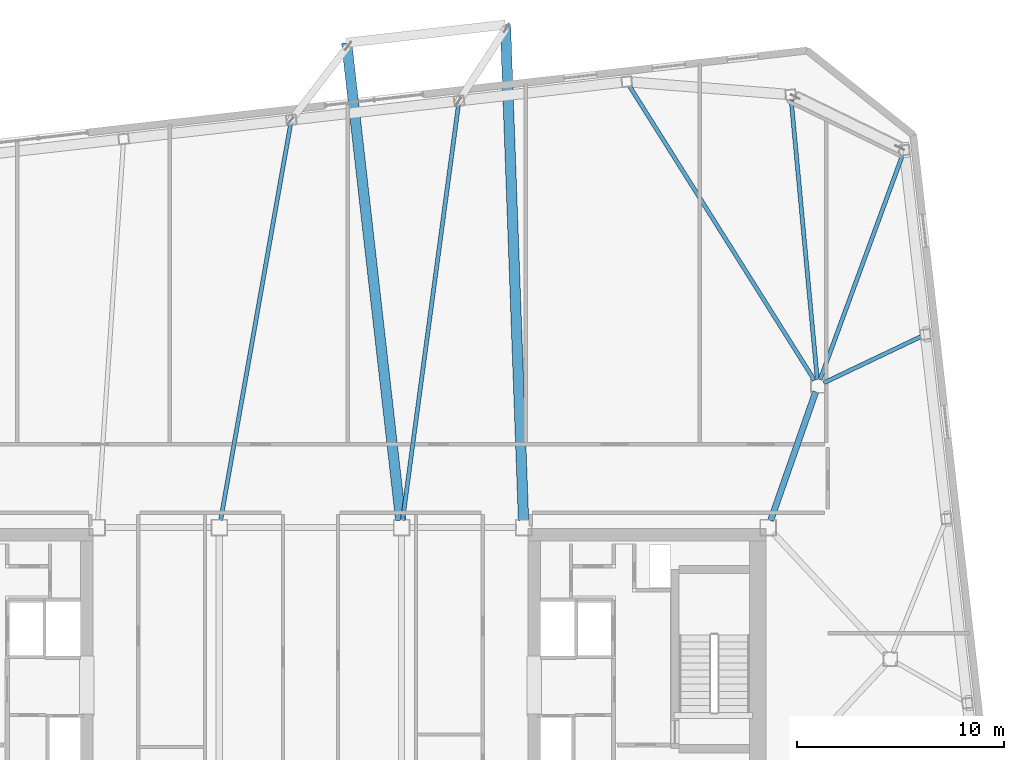
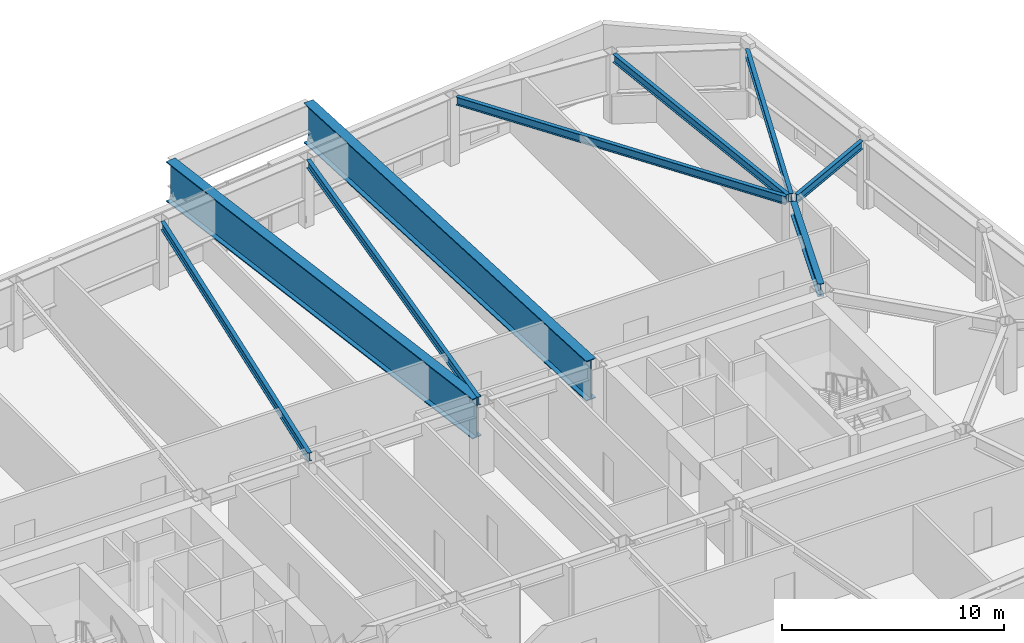
# One storey, part 9 of 20: 9 beams.
"""IFC4 building model written with IfcOpenShell, lengths in metres."""

import ifcopenshell
import ifcopenshell.guid

model = None  # the IFC model being written
_history = None  # IfcOwnerHistory: only IFC2X3 demands one
_inside = {}  # id of a spatial element -> (the spatial element, [elements in it])
_under = {}  # id of a project, library or spatial element -> (it, [spatial elements below it])
_declared = {}  # id of a project -> (the project, [libraries it declares])
_typed = {}  # id of a type object -> (the type object, [elements of that type])
_made_of = {}  # id of a material, layer set ... -> (it, [elements and type objects made of it])


def new_model(schema):
    """Start an empty IFC model of exactly this schema.

    Asked for "IFC4X3", IfcOpenShell would pick the latest addendum, in which some entities
    have other attributes; the version numbers below select the first issue.
    IFC2X3 requires an IfcOwnerHistory on every rooted entity: one is made here for all.
    """
    global model, _history
    if schema == "IFC4X3":
        model = ifcopenshell.file(schema_version=(4, 3, 0, 0))
    else:
        model = ifcopenshell.file(schema=schema)
    _inside.clear()
    _under.clear()
    _declared.clear()
    _typed.clear()
    _made_of.clear()
    _history = None
    if model.schema == "IFC2X3":
        org = make("IfcOrganization", Name="unknown")
        user = make(
            "IfcPersonAndOrganization",
            ThePerson=make("IfcPerson", FamilyName="unknown"),
            TheOrganization=org,
        )
        app = make(
            "IfcApplication",
            ApplicationDeveloper=org,
            Version="unknown",
            ApplicationFullName="unknown",
            ApplicationIdentifier="unknown",
        )
        _history = make(
            "IfcOwnerHistory",
            OwningUser=user,
            OwningApplication=app,
            ChangeAction="ADDED",
            CreationDate=0,
        )
    return model


def make(cls, **values):
    """One entity of the class cls with the attributes given. An attribute that is None is left unset."""
    return model.create_entity(
        cls, **{name: value for name, value in values.items() if value is not None}
    )


def rooted(cls, **values):
    """An entity with a GlobalId (a new one), such as an element, a storey or a relation."""
    return make(cls, GlobalId=ifcopenshell.guid.new(), OwnerHistory=_history, **values)


def si_unit(unit_type, name, prefix=None):
    """IfcSIUnit, for example si_unit("LENGTHUNIT", "METRE", prefix="MILLI")."""
    return make("IfcSIUnit", UnitType=unit_type, Prefix=prefix, Name=name)


def assignment(units):
    """IfcUnitAssignment: the units of a project."""
    return None if units is None else make("IfcUnitAssignment", Units=units)


def point(xyz):
    """IfcCartesianPoint."""
    return None if xyz is None else make("IfcCartesianPoint", Coordinates=xyz)


def direction(xyz):
    """IfcDirection."""
    return None if xyz is None else make("IfcDirection", DirectionRatios=xyz)


def frame(location, z_axis=None, x_axis=None):
    """IfcAxis2Placement3D, a coordinate frame: its origin and axes. An axis left out is left unset."""
    return make(
        "IfcAxis2Placement3D",
        Location=point(location),
        Axis=direction(z_axis),
        RefDirection=direction(x_axis),
    )


def frame_2d(location, x_axis=None):
    """IfcAxis2Placement2D, a coordinate frame in the plane: its origin and x axis."""
    return make(
        "IfcAxis2Placement2D", Location=point(location), RefDirection=direction(x_axis)
    )


def origin():
    """The frame at (0, 0, 0) with its axes left unset."""
    return frame((0.0, 0.0, 0.0))


def origin_2d():
    """The frame at (0, 0) in the plane with its x axis left unset."""
    return frame_2d((0.0, 0.0))


def place(relative_to, where):
    """IfcLocalPlacement: puts the frame where relative to a parent placement (None: the world)."""
    return make(
        "IfcLocalPlacement", PlacementRelTo=relative_to, RelativePlacement=where
    )


def context(
    kind, dimensions, precision=None, world=None, true_north=None, identifier=None
):
    """IfcGeometricRepresentationContext, for example the 3D "Model" context."""
    return make(
        "IfcGeometricRepresentationContext",
        ContextIdentifier=identifier,
        ContextType=kind,
        CoordinateSpaceDimension=dimensions,
        Precision=precision,
        WorldCoordinateSystem=world,
        TrueNorth=true_north,
    )


def subcontext(parent, identifier, kind, view, scale=None):
    """IfcGeometricRepresentationSubContext, for example "Body" below "Model"."""
    return make(
        "IfcGeometricRepresentationSubContext",
        ContextIdentifier=identifier,
        ContextType=kind,
        ParentContext=parent,
        TargetScale=scale,
        TargetView=view,
    )


def project(units=None, contexts=None):
    """IfcProject with its units and contexts."""
    return rooted(
        "IfcProject",
        Name="project",
        RepresentationContexts=contexts,
        UnitsInContext=assignment(units),
    )


def spatial(cls, under=None, at=None, **own):
    """A site, building, storey or space (cls), placed at a placement, below another one or the project."""
    s = rooted(cls, ObjectPlacement=at, **own)
    if under is not None:
        _under.setdefault(under.id(), (under, []))[1].append(s)
    return s


def profile(cls, at=None, kind="AREA", **sizes):
    """A parametric profile (cls). Its sizes go by their IFC names, for example OverallWidth=200.0."""
    return make(cls, ProfileType=kind, Position=at, **sizes)


def i_section(**sizes):
    """IfcIShapeProfileDef."""
    return profile("IfcIShapeProfileDef", **sizes)


def extrude(swept, where, along, depth):
    """IfcExtrudedAreaSolid: the profile swept, set in the frame where, extruded along a direction by depth."""
    return make(
        "IfcExtrudedAreaSolid",
        SweptArea=swept,
        Position=where,
        ExtrudedDirection=direction(along),
        Depth=depth,
    )


def shape(context_of_items, identifier, shape_type, items):
    """IfcShapeRepresentation: the items that make up one representation, for example the "Body"."""
    return make(
        "IfcShapeRepresentation",
        ContextOfItems=context_of_items,
        RepresentationIdentifier=identifier,
        RepresentationType=shape_type,
        Items=items,
    )


def material(Name=None, Category=None):
    """IfcMaterial."""
    return make("IfcMaterial", Name=Name, Category=Category)


def material_profile(
    of_material, cross_section, Name=None, Category=None, Priority=None
):
    """IfcMaterialProfile: a cross section and its material."""
    return make(
        "IfcMaterialProfile",
        Name=Name,
        Material=of_material,
        Profile=cross_section,
        Priority=Priority,
        Category=Category,
    )


def profile_set(profiles, Name=None, composite=None):
    """IfcMaterialProfileSet."""
    return make(
        "IfcMaterialProfileSet",
        Name=Name,
        MaterialProfiles=profiles,
        CompositeProfile=composite,
    )


def made_of(thing, what):
    """Note that an element or type object is made of a material, layer set ...; save() writes the relation."""
    if what is not None:
        _made_of.setdefault(what.id(), (what, []))[1].append(thing)
    return thing


def type_object(cls, material=None, **own):
    """A type object (cls), such as IfcWallType, which elements share."""
    return made_of(rooted(cls, **own), material)


def element(
    cls,
    number,
    at=None,
    inside=None,
    cuts=None,
    type_object=None,
    material=None,
    context=None,
    identifier="Body",
    shape_type=None,
    held_by="IfcProductDefinitionShape",
    body=None,
    shapes=None,
    **own,
):
    """One element of the class cls, such as IfcWall. Its Tag is "e" and its number.

    at: its placement. inside: the storey or other place that contains it. cuts: it is an
    opening in that element (IfcRelVoidsElement). A single representation is given by context,
    identifier, shape_type and body (its items); several are given by shapes. held_by: the class
    of the entity that holds the representations. save() writes the other relations.
    """
    e = rooted(cls, Tag="e%d" % number, ObjectPlacement=at, **own)
    if body is not None:
        shapes = [shape(context, identifier, shape_type, body)]
    if shapes is not None:
        e.Representation = make(held_by, Representations=shapes)
    if inside is not None:
        _inside.setdefault(inside.id(), (inside, []))[1].append(e)
    if cuts is not None:
        rooted(
            "IfcRelVoidsElement", RelatingBuildingElement=cuts, RelatedOpeningElement=e
        )
    if type_object is not None:
        _typed.setdefault(type_object.id(), (type_object, []))[1].append(e)
    return made_of(e, material)


def aggregate(whole, parts):
    """IfcRelAggregates: a whole, such as a stair, and the parts it consists of."""
    return rooted("IfcRelAggregates", RelatingObject=whole, RelatedObjects=parts)


def save(model, path):
    """Write the relations noted so far, then the file.

    IfcRelAggregates (storeys below a building ...), IfcRelContainedInSpatialStructure (elements
    in a storey), IfcRelDefinesByType, IfcRelAssociatesMaterial and IfcRelDeclares: one each for
    every whole, place, type object, material and project.
    """
    for whole, parts in _under.values():
        aggregate(whole, parts)
    for where, things in _inside.values():
        rooted(
            "IfcRelContainedInSpatialStructure",
            RelatedElements=things,
            RelatingStructure=where,
        )
    for kind, things in _typed.values():
        rooted("IfcRelDefinesByType", RelatedObjects=things, RelatingType=kind)
    for what, things in _made_of.values():
        rooted("IfcRelAssociatesMaterial", RelatedObjects=things, RelatingMaterial=what)
    for by, libraries in _declared.values():
        rooted("IfcRelDeclares", RelatingContext=by, RelatedDefinitions=libraries)
    model.write(path)


model = new_model("IFC4")

# Units and contexts
model_context = context("Model", 3, precision=1e-05, world=origin(), true_north=direction((0.0, 1.0)))
body_context = subcontext(model_context, "Body", "Model", "MODEL_VIEW")
ifc_project = project(units=[si_unit("LENGTHUNIT", "METRE"), si_unit("AREAUNIT", "SQUARE_METRE"), si_unit("VOLUMEUNIT", "CUBIC_METRE"), si_unit("PLANEANGLEUNIT", "RADIAN"), si_unit("MASSUNIT", "GRAM", prefix="KILO")], contexts=[model_context])

# Site, building, storey
site_placement = place(None, origin())
site = spatial("IfcSite", under=ifc_project, at=site_placement, CompositionType="ELEMENT")
building_placement = place(site_placement, origin())
building = spatial("IfcBuilding", under=site, at=building_placement, Name="Tavrogorsk Clinical Tower", CompositionType="ELEMENT")
storey_placement = place(building_placement, frame((0.0, 0.0, 234.199951171875)))
storey = spatial("IfcBuildingStorey", under=building, at=storey_placement, Name="L54", CompositionType="ELEMENT", Elevation=234.199951171875)

# Beams
ifc_material_1 = material(Name="Structural steel S355", Category="steel")
ifc_material_profile_1 = material_profile(ifc_material_1, i_section(OverallWidth=0.199951171875, OverallDepth=0.449951171875, WebThickness=0.011474609375, FlangeThickness=0.01806640625, at=origin_2d()), Name="B-450x200x11.5x18")
ifc_profile_set_1 = profile_set([ifc_material_profile_1], Name="Structural steel S355")
beam_type_1 = type_object("IfcBeamType", Name="FloorBeam_B450", PredefinedType="BEAM", material=ifc_profile_set_1)
beam_1_placement = place(storey_placement, frame((24.47119140625, 13.508544921875, 3.51513671875), z_axis=(-0.092940409745, 0.99567167291, 0.0), x_axis=(-0.99567167291, -0.092940409745, 0.0)))
element("IfcBeam", 1, at=beam_1_placement, inside=storey, type_object=beam_type_1, Name="L54 Radial Floor Beam N1", PredefinedType="BEAM", context=body_context, shape_type="SweptSolid", body=[
    extrude(i_section(OverallWidth=0.199951171875, OverallDepth=0.449951171875, WebThickness=0.011474609375, FlangeThickness=0.01806640625, at=origin_2d()), origin(), (0.0, 0.0, 1.0), 13.546630859375),
])
beam_2_placement = place(storey_placement, frame((24.3349609375, 13.46240234375, 3.51513671875), z_axis=(-0.53234144439, 0.84652973166, 0.0), x_axis=(-0.84652973166, -0.53234144439, 0.0)))
element("IfcBeam", 2, at=beam_2_placement, inside=storey, type_object=beam_type_1, Name="L54 Radial Floor Beam N2", PredefinedType="BEAM", context=body_context, shape_type="SweptSolid", body=[
    extrude(i_section(OverallWidth=0.199951171875, OverallDepth=0.449951171875, WebThickness=0.011474609375, FlangeThickness=0.01806640625, at=origin_2d()), origin(), (0.0, 0.0, 1.0), 16.7734375),
])
beam_3_placement = place(storey_placement, frame((4.447998046875, 6.706787109375, 3.51513671875), z_axis=(0.133328812355, 0.991071858039, 0.0), x_axis=(-0.991071858039, 0.133328812355, 0.0)))
element("IfcBeam", 3, at=beam_3_placement, inside=storey, type_object=beam_type_1, Name="L54 Radial Floor Beam N3", PredefinedType="BEAM", context=body_context, shape_type="SweptSolid", body=[
    extrude(i_section(OverallWidth=0.199951171875, OverallDepth=0.449951171875, WebThickness=0.011474609375, FlangeThickness=0.01806640625, at=origin_2d()), origin(), (0.0, 0.0, 1.0), 20.17529296875),
])
beam_4_placement = place(storey_placement, frame((-4.33740234375, 6.70458984375, 3.51513671875), z_axis=(0.173894614236, 0.984764267802, 0.0), x_axis=(-0.984764267802, 0.173894614236, 0.0)))
element("IfcBeam", 4, at=beam_4_placement, inside=storey, type_object=beam_type_1, Name="L54 Radial Floor Beam N4", PredefinedType="BEAM", context=body_context, shape_type="SweptSolid", body=[
    extrude(i_section(OverallWidth=0.199951171875, OverallDepth=0.449951171875, WebThickness=0.011474609375, FlangeThickness=0.01806640625, at=origin_2d()), origin(), (0.0, 0.0, 1.0), 19.371826171875),
])
beam_5_placement = place(storey_placement, frame((24.77978515625, 13.333251953125, 3.51513671875), z_axis=(0.90270896244, 0.43025170439, 0.0), x_axis=(-0.43025170439, 0.90270896244, 0.0)))
element("IfcBeam", 5, at=beam_5_placement, inside=storey, type_object=beam_type_1, Name="L54 Radial Floor Beam E4", PredefinedType="BEAM", context=body_context, shape_type="SweptSolid", body=[
    extrude(i_section(OverallWidth=0.199951171875, OverallDepth=0.449951171875, WebThickness=0.011474609375, FlangeThickness=0.01806640625, at=origin_2d()), origin(), (0.0, 0.0, 1.0), 5.182861328125),
])
beam_6_placement = place(storey_placement, frame((24.60693359375, 13.490966796875, 3.51513671875), z_axis=(0.34467380093, 0.938722520744, 0.0), x_axis=(-0.938722520744, 0.34467380093, 0.0)))
element("IfcBeam", 6, at=beam_6_placement, inside=storey, type_object=beam_type_1, Name="L54 Radial Floor Beam E5", PredefinedType="BEAM", context=body_context, shape_type="SweptSolid", body=[
    extrude(i_section(OverallWidth=0.199951171875, OverallDepth=0.449951171875, WebThickness=0.011474609375, FlangeThickness=0.01806640625, at=origin_2d()), origin(), (0.0, 0.0, 1.0), 11.55126953125),
])
ifc_material_2 = material(Name="Structural steel S390", Category="steel")
ifc_material_profile_2 = material_profile(ifc_material_2, i_section(OverallWidth=0.300048828125, OverallDepth=0.699951171875, WebThickness=0.01708984375, FlangeThickness=0.028076171875, at=origin_2d()), Name="B-700x300x17x28")
ifc_profile_set_2 = profile_set([ifc_material_profile_2], Name="Structural steel S390")
beam_type_2 = type_object("IfcBeamType", Name="PrimaryGirder_B700", PredefinedType="USERDEFINED", material=ifc_profile_set_2)
beam_7_placement = place(storey_placement, frame((24.3974609375, 12.907470703125, 3.39013671875), z_axis=(-0.330654121425, -0.943752007672, 0.0), x_axis=(0.943752007672, -0.330654121425, 0.0)))
element("IfcBeam", 7, at=beam_7_placement, inside=storey, type_object=beam_type_2, Name="L54 Spine Link Girder OPG-4", ObjectType="GIRDER", PredefinedType="USERDEFINED", context=body_context, shape_type="SweptSolid", body=[
    extrude(i_section(OverallWidth=0.300048828125, OverallDepth=0.699951171875, WebThickness=0.01708984375, FlangeThickness=0.028076171875, at=origin_2d()), origin(), (0.0, 0.0, 1.0), 6.58837890625),
])
ifc_material_3 = material(Name="Structural steel S440", Category="steel")
ifc_material_profile_3 = material_profile(ifc_material_3, i_section(OverallWidth=0.5, OverallDepth=2.199951171875, WebThickness=0.035888671875, FlangeThickness=0.054931640625, at=origin_2d()), Name="DK-2200x500x36x55")
ifc_profile_set_3 = profile_set([ifc_material_profile_3], Name="Structural steel S440")
beam_type_3 = type_object("IfcBeamType", Name="TransferGirder_DK2200", PredefinedType="USERDEFINED", material=ifc_profile_set_3)
beam_8_placement = place(storey_placement, frame((4.359375, 6.707763671875, 2.64013671875), z_axis=(-0.112582913225, 0.993642333866, 0.0), x_axis=(-0.993642333866, -0.112582913225, 0.0)))
element("IfcBeam", 8, at=beam_8_placement, inside=storey, type_object=beam_type_3, Name="L55 Day-Room Base Transfer Girder DRB-08-L", ObjectType="GIRDER", PredefinedType="USERDEFINED", context=body_context, shape_type="SweptSolid", body=[
    extrude(i_section(OverallWidth=0.5, OverallDepth=2.199951171875, WebThickness=0.035888671875, FlangeThickness=0.054931640625, at=origin_2d()), origin(), (0.0, 0.0, 1.0), 23.201171875),
])
beam_9_placement = place(storey_placement, frame((10.286865234375, 6.709716796875, 2.64013671875), z_axis=(-0.036436460946, 0.99933597169, 0.0), x_axis=(-0.99933597169, -0.036436460946, 0.0)))
element("IfcBeam", 9, at=beam_9_placement, inside=storey, type_object=beam_type_3, Name="L55 Day-Room Base Transfer Girder DRB-08-R", ObjectType="GIRDER", PredefinedType="USERDEFINED", context=body_context, shape_type="SweptSolid", body=[
    extrude(i_section(OverallWidth=0.5, OverallDepth=2.199951171875, WebThickness=0.035888671875, FlangeThickness=0.054931640625, at=origin_2d()), origin(), (0.0, 0.0, 1.0), 23.940673828125),
])

save(model, "model.ifc")
